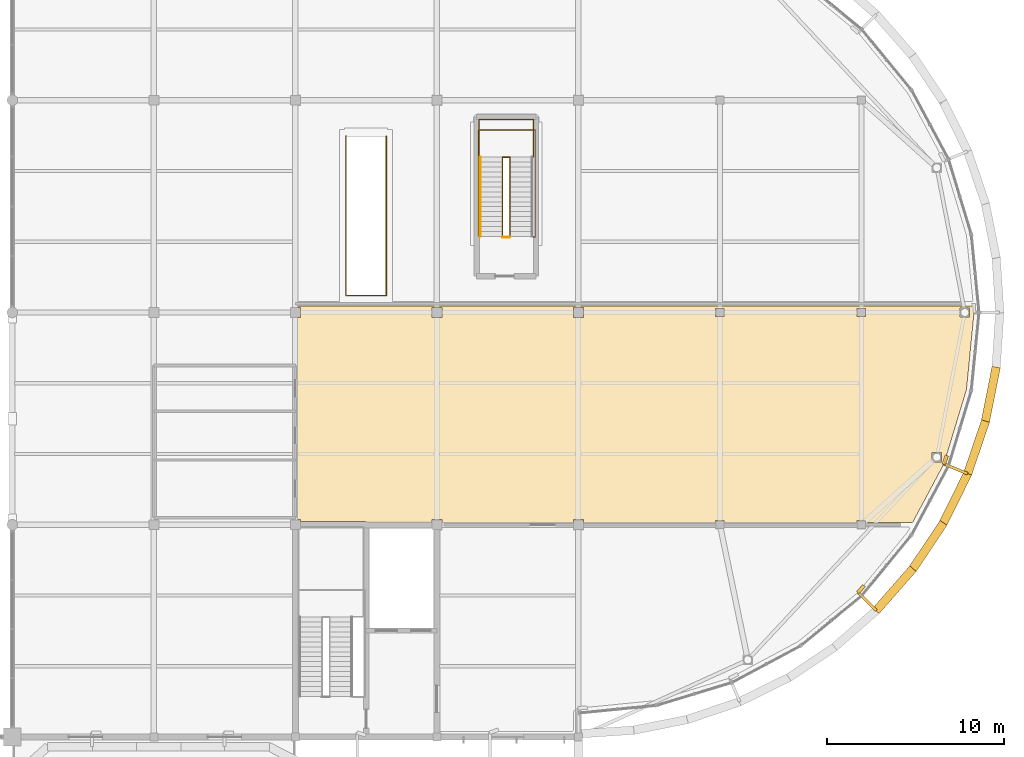
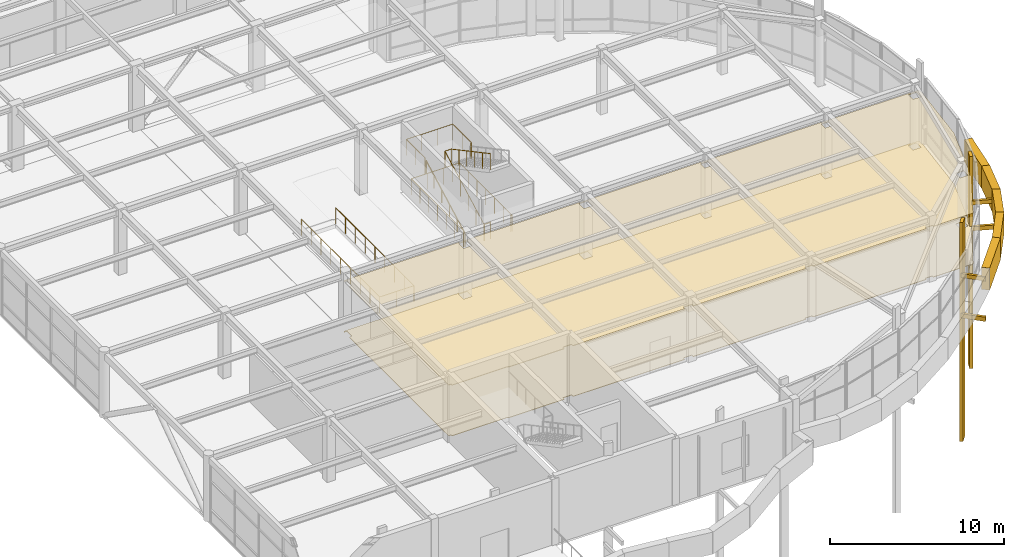
# One storey, part 58 of 63: 13 coverings, 6 railings.
"""IFC4 building model written with IfcOpenShell, lengths in metres."""

from ifc_helpers import new_model, si_unit, direction, frame, frame_2d, origin, origin_2d, place, context, subcontext, project, spatial, polyline, rectangle, circle, outline, extrude, material, layer, layer_set, type_object, element, save


model = new_model("IFC4")

# Units and contexts
model_context = context("Model", 3, precision=1e-05, world=origin(), true_north=direction((0.0, 1.0)))
body_context = subcontext(model_context, "Body", "Model", "MODEL_VIEW")
ifc_project = project(units=[si_unit("LENGTHUNIT", "METRE"), si_unit("AREAUNIT", "SQUARE_METRE"), si_unit("VOLUMEUNIT", "CUBIC_METRE"), si_unit("PLANEANGLEUNIT", "RADIAN"), si_unit("MASSUNIT", "GRAM", prefix="KILO")], contexts=[model_context])

# Site, building, storey
site_placement = place(None, origin())
site = spatial("IfcSite", under=ifc_project, at=site_placement, CompositionType="ELEMENT")
building_placement = place(site_placement, origin())
building = spatial("IfcBuilding", under=site, at=building_placement, Name="Keelwater Ferry Terminal", CompositionType="ELEMENT")
storey_placement = place(building_placement, frame((0.0, 0.0, 10.199951171875)))
storey = spatial("IfcBuildingStorey", under=building, at=storey_placement, Name="L02", CompositionType="ELEMENT", Elevation=10.199951171875)

# Coverings
ifc_material_1 = material(Name="Perforated acoustic gypsum board ceiling", Category="gypsum")
ifc_layer_1 = layer(ifc_material_1, 0.044921875)
ifc_layer_set_1 = layer_set([ifc_layer_1], Name="Perforated acoustic gypsum board ceiling")
covering_type_1 = type_object("IfcCoveringType", Name="CL-AC Acoustic Baffle Ceiling", PredefinedType="CEILING", material=ifc_layer_set_1)
covering_1_placement = place(storey_placement, frame((0.0, 0.0, 3.550048828125)))
element("IfcCovering", 1, at=covering_1_placement, inside=storey, type_object=covering_type_1, Name="Duty-Free Shop Acoustic Ceiling", PredefinedType="CEILING", context=body_context, shape_type="SweptSolid", body=[
    extrude(outline(polyline([(171.762939453125, 54.1201171875), (171.7548828125, 54.1201171875), (164.294921875, 54.1201171875), (164.287109375, 54.1201171875), (164.284912109375, 54.12109375), (164.284912109375, 54.284912109375), (163.715087890625, 54.284912109375), (163.715087890625, 54.12109375), (163.712890625, 54.1201171875), (163.705078125, 54.1201171875), (156.294921875, 54.1201171875), (156.287109375, 54.1201171875), (156.284912109375, 54.12109375), (156.284912109375, 54.284912109375), (155.715087890625, 54.284912109375), (155.715087890625, 54.12109375), (155.712890625, 54.1201171875), (155.705078125, 54.1201171875), (152.072998046875, 54.1201171875), (152.055908203125, 54.133056640625), (152.031982421875, 54.14697265625), (152.007080078125, 54.158935546875), (151.98095703125, 54.16796875), (151.955078125, 54.175048828125), (151.927001953125, 54.178955078125), (151.89990234375, 54.179931640625), (148.284912109375, 54.179931640625), (148.284912109375, 54.284912109375), (148.12109375, 54.284912109375), (148.1201171875, 54.287109375), (148.1201171875, 54.294921875), (148.1201171875, 65.705078125), (148.1201171875, 65.712890625), (148.12109375, 65.715087890625), (148.284912109375, 65.715087890625), (148.284912109375, 66.284912109375), (148.1220703125, 66.284912109375), (148.12109375, 66.2900390625), (148.1201171875, 66.298095703125), (148.1201171875, 66.305908203125), (148.12109375, 66.31396484375), (148.123046875, 66.322021484375), (148.1259765625, 66.3291015625), (148.12890625, 66.3369140625), (148.133056640625, 66.343017578125), (148.136962890625, 66.35009765625), (148.14306640625, 66.35595703125), (148.14892578125, 66.361083984375), (148.155029296875, 66.365966796875), (148.162109375, 66.3701171875), (148.1689453125, 66.3740234375), (148.176025390625, 66.3759765625), (148.18408203125, 66.3779296875), (148.19189453125, 66.3798828125), (148.199951171875, 66.3798828125), (186.259033203125, 66.3798828125), (186.26708984375, 66.3798828125), (186.27490234375, 66.3779296875), (186.281982421875, 66.376953125), (186.2900390625, 66.3740234375), (186.297119140625, 66.37109375), (186.302978515625, 66.365966796875), (186.31005859375, 66.362060546875), (186.31591796875, 66.35693359375), (186.321044921875, 66.35107421875), (186.325927734375, 66.343994140625), (186.330078125, 66.337890625), (186.3330078125, 66.3310546875), (186.3359375, 66.322998046875), (186.3369140625, 66.31494140625), (186.337890625, 66.31298828125), (186.35302734375, 66.154052734375), (186.367919921875, 66.008056640625), (186.367919921875, 66.0), (186.367919921875, 65.991943359375), (185.93994140625, 61.64404296875), (185.93798828125, 61.635986328125), (185.93701171875, 61.62890625), (185.301025390625, 59.532958984375), (184.666015625, 57.44091796875), (184.666015625, 57.43896484375), (184.666015625, 57.43896484375), (182.9130859375, 54.159912109375), (182.910888671875, 54.156005859375), (182.906005859375, 54.14892578125), (182.90087890625, 54.14306640625), (182.89501953125, 54.137939453125), (182.887939453125, 54.133056640625), (182.882080078125, 54.12890625), (182.875, 54.1259765625), (182.866943359375, 54.123046875), (182.860107421875, 54.1220703125), (182.85205078125, 54.1201171875), (182.843994140625, 54.1201171875), (180.2451171875, 54.1201171875), (180.237060546875, 54.1201171875), (180.235107421875, 54.12109375), (180.235107421875, 54.235107421875), (179.764892578125, 54.235107421875), (179.764892578125, 54.12109375), (179.762939453125, 54.1201171875), (179.7548828125, 54.1201171875), (172.2451171875, 54.1201171875), (172.237060546875, 54.1201171875), (172.235107421875, 54.12109375), (172.235107421875, 54.235107421875), (171.764892578125, 54.235107421875), (171.764892578125, 54.12109375), (171.762939453125, 54.1201171875)]), holes=[polyline([(155.715087890625, 66.284912109375), (155.715087890625, 65.715087890625), (156.284912109375, 65.715087890625), (156.284912109375, 66.284912109375), (155.715087890625, 66.284912109375)]), polyline([(183.9951171875, 58.0791015625), (183.9951171875, 57.551025390625), (184.52294921875, 57.551025390625), (184.52294921875, 58.0791015625), (183.9951171875, 58.0791015625)]), polyline([(185.5859375, 66.263916015625), (185.5859375, 65.736083984375), (186.114013671875, 65.736083984375), (186.114013671875, 66.263916015625), (185.5859375, 66.263916015625)]), polyline([(179.764892578125, 66.235107421875), (179.764892578125, 65.764892578125), (180.235107421875, 65.764892578125), (180.235107421875, 66.235107421875), (179.764892578125, 66.235107421875)]), polyline([(171.764892578125, 66.235107421875), (171.764892578125, 65.764892578125), (172.235107421875, 65.764892578125), (172.235107421875, 66.235107421875), (171.764892578125, 66.235107421875)]), polyline([(163.715087890625, 66.284912109375), (163.715087890625, 65.715087890625), (164.284912109375, 65.715087890625), (164.284912109375, 66.284912109375), (163.715087890625, 66.284912109375)])]), origin(), (0.0, 0.0, 1.0), 0.044921875),
])
ifc_material_2 = material(Name="Polished mineral terrazzo tile", Category="stone")
ifc_layer_2 = layer(ifc_material_2, 0.030029296875)
ifc_layer_set_2 = layer_set([ifc_layer_2], Name="Polished mineral terrazzo tile")
covering_type_2 = type_object("IfcCoveringType", Name="FL-TZ Marine Terrazzo Flooring", PredefinedType="FLOORING", material=ifc_layer_set_2)
covering_2_placement = place(storey_placement, origin())
element("IfcCovering", 2, at=covering_2_placement, inside=storey, type_object=covering_type_2, Name="Duty-Free Shop Terrazzo Floor", PredefinedType="FLOORING", context=body_context, shape_type="SweptSolid", body=[
    extrude(outline(polyline([(171.762939453125, 54.1201171875), (171.7548828125, 54.1201171875), (164.294921875, 54.1201171875), (164.287109375, 54.1201171875), (164.284912109375, 54.12109375), (164.284912109375, 54.284912109375), (163.715087890625, 54.284912109375), (163.715087890625, 54.12109375), (163.712890625, 54.1201171875), (163.705078125, 54.1201171875), (156.294921875, 54.1201171875), (156.287109375, 54.1201171875), (156.284912109375, 54.12109375), (156.284912109375, 54.284912109375), (155.715087890625, 54.284912109375), (155.715087890625, 54.12109375), (155.712890625, 54.1201171875), (155.705078125, 54.1201171875), (152.072998046875, 54.1201171875), (152.055908203125, 54.133056640625), (152.031982421875, 54.14697265625), (152.007080078125, 54.158935546875), (151.98095703125, 54.16796875), (151.955078125, 54.175048828125), (151.927001953125, 54.178955078125), (151.89990234375, 54.179931640625), (148.284912109375, 54.179931640625), (148.284912109375, 54.284912109375), (148.12109375, 54.284912109375), (148.1201171875, 54.287109375), (148.1201171875, 54.294921875), (148.1201171875, 65.705078125), (148.1201171875, 65.712890625), (148.12109375, 65.715087890625), (148.284912109375, 65.715087890625), (148.284912109375, 66.284912109375), (148.1220703125, 66.284912109375), (148.12109375, 66.2900390625), (148.1201171875, 66.298095703125), (148.1201171875, 66.305908203125), (148.12109375, 66.31396484375), (148.123046875, 66.322021484375), (148.1259765625, 66.3291015625), (148.12890625, 66.3369140625), (148.133056640625, 66.343017578125), (148.136962890625, 66.35009765625), (148.14306640625, 66.35595703125), (148.14892578125, 66.361083984375), (148.155029296875, 66.365966796875), (148.162109375, 66.3701171875), (148.1689453125, 66.3740234375), (148.176025390625, 66.3759765625), (148.18408203125, 66.3779296875), (148.19189453125, 66.3798828125), (148.199951171875, 66.3798828125), (186.259033203125, 66.3798828125), (186.26708984375, 66.3798828125), (186.27490234375, 66.3779296875), (186.281982421875, 66.376953125), (186.2900390625, 66.3740234375), (186.297119140625, 66.37109375), (186.302978515625, 66.365966796875), (186.31005859375, 66.362060546875), (186.31591796875, 66.35693359375), (186.321044921875, 66.35107421875), (186.325927734375, 66.343994140625), (186.330078125, 66.337890625), (186.3330078125, 66.3310546875), (186.3359375, 66.322998046875), (186.3369140625, 66.31494140625), (186.337890625, 66.31298828125), (186.35302734375, 66.154052734375), (186.367919921875, 66.008056640625), (186.367919921875, 66.0), (186.367919921875, 65.991943359375), (185.93994140625, 61.64404296875), (185.93798828125, 61.635986328125), (185.93701171875, 61.62890625), (185.301025390625, 59.532958984375), (184.666015625, 57.44091796875), (184.666015625, 57.43896484375), (184.666015625, 57.43896484375), (182.9130859375, 54.159912109375), (182.910888671875, 54.156005859375), (182.906005859375, 54.14892578125), (182.90087890625, 54.14306640625), (182.89501953125, 54.137939453125), (182.887939453125, 54.133056640625), (182.882080078125, 54.12890625), (182.875, 54.1259765625), (182.866943359375, 54.123046875), (182.860107421875, 54.1220703125), (182.85205078125, 54.1201171875), (182.843994140625, 54.1201171875), (180.2451171875, 54.1201171875), (180.237060546875, 54.1201171875), (180.235107421875, 54.12109375), (180.235107421875, 54.235107421875), (179.764892578125, 54.235107421875), (179.764892578125, 54.12109375), (179.762939453125, 54.1201171875), (179.7548828125, 54.1201171875), (172.2451171875, 54.1201171875), (172.237060546875, 54.1201171875), (172.235107421875, 54.12109375), (172.235107421875, 54.235107421875), (171.764892578125, 54.235107421875), (171.764892578125, 54.12109375), (171.762939453125, 54.1201171875)]), holes=[polyline([(155.715087890625, 66.284912109375), (155.715087890625, 65.715087890625), (156.284912109375, 65.715087890625), (156.284912109375, 66.284912109375), (155.715087890625, 66.284912109375)]), polyline([(183.9951171875, 58.0791015625), (183.9951171875, 57.551025390625), (184.52294921875, 57.551025390625), (184.52294921875, 58.0791015625), (183.9951171875, 58.0791015625)]), polyline([(185.5859375, 66.263916015625), (185.5859375, 65.736083984375), (186.114013671875, 65.736083984375), (186.114013671875, 66.263916015625), (185.5859375, 66.263916015625)]), polyline([(179.764892578125, 66.235107421875), (179.764892578125, 65.764892578125), (180.235107421875, 65.764892578125), (180.235107421875, 66.235107421875), (179.764892578125, 66.235107421875)]), polyline([(171.764892578125, 66.235107421875), (171.764892578125, 65.764892578125), (172.235107421875, 65.764892578125), (172.235107421875, 66.235107421875), (171.764892578125, 66.235107421875)]), polyline([(163.715087890625, 66.284912109375), (163.715087890625, 65.715087890625), (164.284912109375, 65.715087890625), (164.284912109375, 66.284912109375), (163.715087890625, 66.284912109375)])]), origin(), (0.0, 0.0, 1.0), 0.030029296875),
])

# Railings
ifc_material_3 = material(Name="Painted Steel S355", Category="steel")
railing_type_1 = type_object("IfcRailingType", Name="GR-115 Stair Well Guardrail", PredefinedType="GUARDRAIL", material=ifc_material_3)
railing_1_placement = place(storey_placement, frame((159.7099609375, 70.260009765625, 0.0)))
element("IfcRailing", 3, at=railing_1_placement, inside=storey, type_object=railing_type_1, Name="Stair ST-E5-L01 Slot Threshold Guard 97", PredefinedType="GUARDRAIL", context=body_context, shape_type="SweptSolid", body=[
    extrude(circle(Radius=0.02392578125, at=origin_2d()), frame((0.0, 0.0, 1.1259765625), z_axis=(1.0, 0.0, 0.0), x_axis=(0.0, 1.0, 0.0)), (0.0, 0.0, 1.0), 0.419921875),
    extrude(circle(Radius=0.02099609375, at=origin_2d()), origin(), (0.0, 0.0, 1.0), 1.101806640625),
    extrude(circle(Radius=0.02099609375, at=origin_2d()), frame((0.419921875, 0.0, 0.0)), (0.0, 0.0, 1.0), 1.101806640625),
])
railing_2_placement = place(storey_placement, frame((158.360107421875, 70.300048828125, 0.0)))
element("IfcRailing", 4, at=railing_2_placement, inside=storey, type_object=railing_type_1, Name="Stair ST-E5-L01 Shaft Perimeter Guard 98", PredefinedType="GUARDRAIL", context=body_context, shape_type="SweptSolid", body=[
    extrude(circle(Radius=0.02392578125, at=origin_2d()), frame((0.0, 0.0, 1.1259765625), z_axis=(0.0, 1.0, 0.0), x_axis=(-1.0, 0.0, 0.0)), (0.0, 0.0, 1.0), 6.02001953125),
    extrude(circle(Radius=0.02392578125, at=origin_2d()), frame((0.0, 6.02001953125, 1.1259765625), z_axis=(1.0, 0.0, 0.0), x_axis=(0.0, 1.0, 0.0)), (0.0, 0.0, 1.0), 3.199951171875),
    extrude(circle(Radius=0.02392578125, at=origin_2d()), frame((3.199951171875, 6.02001953125, 1.1259765625), z_axis=(0.0, -1.0, 0.0), x_axis=(1.0, 0.0, 0.0)), (0.0, 0.0, 1.0), 6.06005859375),
    extrude(circle(Radius=0.02392578125, at=origin_2d()), frame((3.199951171875, -0.0400390625, 1.1259765625), z_axis=(-1.0, 0.0, 0.0), x_axis=(0.0, -1.0, 0.0)), (0.0, 0.0, 1.0), 0.1201171875),
    extrude(circle(Radius=0.02099609375, at=origin_2d()), origin(), (0.0, 0.0, 1.0), 1.101806640625),
    extrude(circle(Radius=0.02099609375, at=origin_2d()), frame((0.0, 1.00341796875, 0.0)), (0.0, 0.0, 1.0), 1.101806640625),
    extrude(circle(Radius=0.02099609375, at=origin_2d()), frame((0.0, 2.006591796875, 0.0)), (0.0, 0.0, 1.0), 1.101806640625),
    extrude(circle(Radius=0.02099609375, at=origin_2d()), frame((0.0, 3.010009765625, 0.0)), (0.0, 0.0, 1.0), 1.101806640625),
    extrude(circle(Radius=0.02099609375, at=origin_2d()), frame((0.0, 4.013427734375, 0.0)), (0.0, 0.0, 1.0), 1.101806640625),
    extrude(circle(Radius=0.02099609375, at=origin_2d()), frame((0.0, 5.0166015625, 0.0)), (0.0, 0.0, 1.0), 1.101806640625),
    extrude(circle(Radius=0.02099609375, at=origin_2d()), frame((0.0, 6.02001953125, 0.0)), (0.0, 0.0, 1.0), 1.101806640625),
    extrude(circle(Radius=0.02099609375, at=origin_2d()), frame((1.066650390625, 6.02001953125, 0.0)), (0.0, 0.0, 1.0), 1.101806640625),
    extrude(circle(Radius=0.02099609375, at=origin_2d()), frame((2.13330078125, 6.02001953125, 0.0)), (0.0, 0.0, 1.0), 1.101806640625),
    extrude(circle(Radius=0.02099609375, at=origin_2d()), frame((3.199951171875, 6.02001953125, 0.0)), (0.0, 0.0, 1.0), 1.101806640625),
    extrude(circle(Radius=0.02099609375, at=origin_2d()), frame((3.199951171875, 5.010009765625, 0.0)), (0.0, 0.0, 1.0), 1.101806640625),
    extrude(circle(Radius=0.02099609375, at=origin_2d()), frame((3.199951171875, 4.0, 0.0)), (0.0, 0.0, 1.0), 1.101806640625),
    extrude(circle(Radius=0.02099609375, at=origin_2d()), frame((3.199951171875, 2.989990234375, 0.0)), (0.0, 0.0, 1.0), 1.101806640625),
    extrude(circle(Radius=0.02099609375, at=origin_2d()), frame((3.199951171875, 1.97998046875, 0.0)), (0.0, 0.0, 1.0), 1.101806640625),
    extrude(circle(Radius=0.02099609375, at=origin_2d()), frame((3.199951171875, 0.969970703125, 0.0)), (0.0, 0.0, 1.0), 1.101806640625),
    extrude(circle(Radius=0.02099609375, at=origin_2d()), frame((3.199951171875, -0.0400390625, 0.0)), (0.0, 0.0, 1.0), 1.101806640625),
    extrude(circle(Radius=0.02099609375, at=origin_2d()), frame((3.079833984375, -0.0400390625, 0.0)), (0.0, 0.0, 1.0), 1.101806640625),
])
railing_3_placement = place(storey_placement, frame((159.7099609375, 70.300048828125, 0.0)))
element("IfcRailing", 5, at=railing_3_placement, inside=storey, type_object=railing_type_1, Name="Stair ST-E5-L02 Inner Well Guard 99", PredefinedType="GUARDRAIL", context=body_context, shape_type="SweptSolid", body=[
    extrude(circle(Radius=0.02392578125, at=origin_2d()), frame((0.0, 0.0, 1.1259765625), z_axis=(0.0, 0.881467115574, 0.472245406714), x_axis=(-1.0, 0.0, 0.0)), (0.0, 0.0, 1.0), 5.08251953125),
    extrude(circle(Radius=0.02392578125, at=origin_2d()), frame((0.0, 4.47998046875, 3.52587890625), z_axis=(1.0, 0.0, 0.0), x_axis=(0.0, 1.0, 0.0)), (0.0, 0.0, 1.0), 0.419921875),
    extrude(circle(Radius=0.02392578125, at=origin_2d()), frame((0.419921875, 4.47998046875, 3.52587890625), z_axis=(0.0, -0.881487111273, 0.472208081951), x_axis=(1.0, 0.0, 0.0)), (0.0, 0.0, 1.0), 5.082275390625),
    extrude(circle(Radius=0.02099609375, at=origin_2d()), origin(), (0.0, 0.0, 1.0), 1.101806640625),
    extrude(circle(Radius=0.02099609375, at=origin_2d()), frame((0.0, 0.89599609375, 0.47998046875)), (0.0, 0.0, 1.0), 1.101806640625),
    extrude(circle(Radius=0.02099609375, at=origin_2d()), frame((0.0, 1.7919921875, 0.9599609375)), (0.0, 0.0, 1.0), 1.101806640625),
    extrude(circle(Radius=0.02099609375, at=origin_2d()), frame((0.0, 2.68798828125, 1.440185546875)), (0.0, 0.0, 1.0), 1.101806640625),
    extrude(circle(Radius=0.02099609375, at=origin_2d()), frame((0.0, 3.583984375, 1.920166015625)), (0.0, 0.0, 1.0), 1.101806640625),
    extrude(circle(Radius=0.02099609375, at=origin_2d()), frame((0.0, 4.47998046875, 2.400146484375)), (0.0, 0.0, 1.0), 1.101806640625),
    extrude(circle(Radius=0.02099609375, at=origin_2d()), frame((0.419921875, 4.47998046875, 2.400146484375)), (0.0, 0.0, 1.0), 1.101806640625),
    extrude(circle(Radius=0.02099609375, at=origin_2d()), frame((0.419921875, 3.583984375, 2.880126953125)), (0.0, 0.0, 1.0), 1.101806640625),
    extrude(circle(Radius=0.02099609375, at=origin_2d()), frame((0.419921875, 2.68798828125, 3.360107421875)), (0.0, 0.0, 1.0), 1.101806640625),
    extrude(circle(Radius=0.02099609375, at=origin_2d()), frame((0.419921875, 1.7919921875, 3.840087890625)), (0.0, 0.0, 1.0), 1.101806640625),
    extrude(circle(Radius=0.02099609375, at=origin_2d()), frame((0.419921875, 0.89599609375, 4.320068359375)), (0.0, 0.0, 1.0), 1.101806640625),
    extrude(circle(Radius=0.02099609375, at=origin_2d()), frame((0.419921875, 0.0, 4.800048828125)), (0.0, 0.0, 1.0), 1.101806640625),
])
railing_4_placement = place(storey_placement, frame((158.39990234375, 74.780029296875, 2.400146484375)))
element("IfcRailing", 6, at=railing_4_placement, inside=storey, type_object=railing_type_1, Name="Stair ST-E5-L02 Half-Landing Guard 100", PredefinedType="GUARDRAIL", context=body_context, shape_type="SweptSolid", body=[
    extrude(circle(Radius=0.02392578125, at=origin_2d()), frame((0.0, 0.0, 1.1259765625), z_axis=(-1.0, 0.0, 0.0), x_axis=(0.0, -1.0, 0.0)), (0.0, 0.0, 1.0), 0.02001953125),
    extrude(circle(Radius=0.02392578125, at=origin_2d()), frame((-0.02001953125, 0.0, 1.1259765625), z_axis=(0.0, 1.0, 0.0), x_axis=(-1.0, 0.0, 0.0)), (0.0, 0.0, 1.0), 2.139892578125),
    extrude(circle(Radius=0.02392578125, at=origin_2d()), frame((-0.02001953125, 2.139892578125, 1.1259765625), z_axis=(1.0, 0.0, 0.0), x_axis=(0.0, 1.0, 0.0)), (0.0, 0.0, 1.0), 3.090087890625),
    extrude(circle(Radius=0.02392578125, at=origin_2d()), frame((3.070068359375, 2.139892578125, 1.1259765625), z_axis=(0.0, -1.0, 0.0), x_axis=(1.0, 0.0, 0.0)), (0.0, 0.0, 1.0), 2.139892578125),
    extrude(circle(Radius=0.02392578125, at=origin_2d()), frame((3.070068359375, 0.0, 1.1259765625), z_axis=(-1.0, 0.0, 0.0), x_axis=(0.0, -1.0, 0.0)), (0.0, 0.0, 1.0), 0.030029296875),
    extrude(circle(Radius=0.02099609375, at=origin_2d()), origin(), (0.0, 0.0, 1.0), 1.101806640625),
    extrude(circle(Radius=0.02099609375, at=origin_2d()), frame((-0.02001953125, 0.0, 0.0)), (0.0, 0.0, 1.0), 1.101806640625),
    extrude(circle(Radius=0.02099609375, at=origin_2d()), frame((-0.02001953125, 1.06982421875, 0.0)), (0.0, 0.0, 1.0), 1.101806640625),
    extrude(circle(Radius=0.02099609375, at=origin_2d()), frame((-0.02001953125, 2.139892578125, 0.0)), (0.0, 0.0, 1.0), 1.101806640625),
    extrude(circle(Radius=0.02099609375, at=origin_2d()), frame((1.010009765625, 2.139892578125, 0.0)), (0.0, 0.0, 1.0), 1.101806640625),
    extrude(circle(Radius=0.02099609375, at=origin_2d()), frame((2.0400390625, 2.139892578125, 0.0)), (0.0, 0.0, 1.0), 1.101806640625),
    extrude(circle(Radius=0.02099609375, at=origin_2d()), frame((3.070068359375, 2.139892578125, 0.0)), (0.0, 0.0, 1.0), 1.101806640625),
    extrude(circle(Radius=0.02099609375, at=origin_2d()), frame((3.070068359375, 1.06982421875, 0.0)), (0.0, 0.0, 1.0), 1.101806640625),
    extrude(circle(Radius=0.02099609375, at=origin_2d()), frame((3.070068359375, 0.0, 0.0)), (0.0, 0.0, 1.0), 1.101806640625),
    extrude(circle(Radius=0.02099609375, at=origin_2d()), frame((3.0400390625, 0.0, 0.0)), (0.0, 0.0, 1.0), 1.101806640625),
])
railing_5_placement = place(storey_placement, frame((153.139892578125, 75.9599609375, 0.0)))
element("IfcRailing", 7, at=railing_5_placement, inside=storey, type_object=railing_type_1, Name="Straight Stair AS-01 Top Well U-Guard 129", PredefinedType="GUARDRAIL", context=body_context, shape_type="SweptSolid", body=[
    extrude(circle(Radius=0.02392578125, at=origin_2d()), frame((0.0, 0.0, 1.1259765625), z_axis=(0.0, -1.0, 0.0), x_axis=(1.0, 0.0, 0.0)), (0.0, 0.0, 1.0), 9.0),
    extrude(circle(Radius=0.02392578125, at=origin_2d()), frame((0.0, -9.0, 1.1259765625), z_axis=(-1.0, 0.0, 0.0), x_axis=(0.0, -1.0, 0.0)), (0.0, 0.0, 1.0), 2.27978515625),
    extrude(circle(Radius=0.02392578125, at=origin_2d()), frame((-2.27978515625, -9.0, 1.1259765625), z_axis=(0.0, 1.0, 0.0), x_axis=(-1.0, 0.0, 0.0)), (0.0, 0.0, 1.0), 9.0),
    extrude(circle(Radius=0.02099609375, at=origin_2d()), origin(), (0.0, 0.0, 1.0), 1.101806640625),
    extrude(circle(Radius=0.02099609375, at=origin_2d()), frame((0.0, -1.125, 0.0)), (0.0, 0.0, 1.0), 1.101806640625),
    extrude(circle(Radius=0.02099609375, at=origin_2d()), frame((0.0, -2.25, 0.0)), (0.0, 0.0, 1.0), 1.101806640625),
    extrude(circle(Radius=0.02099609375, at=origin_2d()), frame((0.0, -3.375, 0.0)), (0.0, 0.0, 1.0), 1.101806640625),
    extrude(circle(Radius=0.02099609375, at=origin_2d()), frame((0.0, -4.5, 0.0)), (0.0, 0.0, 1.0), 1.101806640625),
    extrude(circle(Radius=0.02099609375, at=origin_2d()), frame((0.0, -5.625, 0.0)), (0.0, 0.0, 1.0), 1.101806640625),
    extrude(circle(Radius=0.02099609375, at=origin_2d()), frame((0.0, -6.75, 0.0)), (0.0, 0.0, 1.0), 1.101806640625),
    extrude(circle(Radius=0.02099609375, at=origin_2d()), frame((0.0, -7.875, 0.0)), (0.0, 0.0, 1.0), 1.101806640625),
    extrude(circle(Radius=0.02099609375, at=origin_2d()), frame((0.0, -9.0, 0.0)), (0.0, 0.0, 1.0), 1.101806640625),
    extrude(circle(Radius=0.02099609375, at=origin_2d()), frame((-1.139892578125, -9.0, 0.0)), (0.0, 0.0, 1.0), 1.101806640625),
    extrude(circle(Radius=0.02099609375, at=origin_2d()), frame((-2.27978515625, -9.0, 0.0)), (0.0, 0.0, 1.0), 1.101806640625),
    extrude(circle(Radius=0.02099609375, at=origin_2d()), frame((-2.27978515625, -7.875, 0.0)), (0.0, 0.0, 1.0), 1.101806640625),
    extrude(circle(Radius=0.02099609375, at=origin_2d()), frame((-2.27978515625, -6.75, 0.0)), (0.0, 0.0, 1.0), 1.101806640625),
    extrude(circle(Radius=0.02099609375, at=origin_2d()), frame((-2.27978515625, -5.625, 0.0)), (0.0, 0.0, 1.0), 1.101806640625),
    extrude(circle(Radius=0.02099609375, at=origin_2d()), frame((-2.27978515625, -4.5, 0.0)), (0.0, 0.0, 1.0), 1.101806640625),
    extrude(circle(Radius=0.02099609375, at=origin_2d()), frame((-2.27978515625, -3.375, 0.0)), (0.0, 0.0, 1.0), 1.101806640625),
    extrude(circle(Radius=0.02099609375, at=origin_2d()), frame((-2.27978515625, -2.25, 0.0)), (0.0, 0.0, 1.0), 1.101806640625),
    extrude(circle(Radius=0.02099609375, at=origin_2d()), frame((-2.27978515625, -1.125, 0.0)), (0.0, 0.0, 1.0), 1.101806640625),
    extrude(circle(Radius=0.02099609375, at=origin_2d()), frame((-2.27978515625, 0.0, 0.0)), (0.0, 0.0, 1.0), 1.101806640625),
])
ifc_material_4 = material(Name="Brushed stainless steel handrail", Category="steel")
railing_type_2 = type_object("IfcRailingType", Name="HR-920 Stair Pitch Handrail", PredefinedType="HANDRAIL", material=ifc_material_4)
railing_6_placement = place(storey_placement, frame((158.4599609375, 70.300048828125, 0.0)))
element("IfcRailing", 8, at=railing_6_placement, inside=storey, type_object=railing_type_2, Name="Stair ST-E5-L02 Flight 1 Handrail 101", PredefinedType="HANDRAIL", context=body_context, shape_type="SweptSolid", body=[
    extrude(circle(Radius=0.02392578125, at=origin_2d()), frame((0.0, 0.0, 0.89599609375), z_axis=(0.0, 0.881467115574, 0.472245406714), x_axis=(-1.0, 0.0, 0.0)), (0.0, 0.0, 1.0), 5.08251953125),
    extrude(circle(Radius=0.02099609375, at=origin_2d()), origin(), (0.0, 0.0, 1.0), 0.871826171875),
    extrude(circle(Radius=0.02099609375, at=origin_2d()), frame((0.0, 0.89599609375, 0.47998046875)), (0.0, 0.0, 1.0), 0.871826171875),
    extrude(circle(Radius=0.02099609375, at=origin_2d()), frame((0.0, 1.7919921875, 0.9599609375)), (0.0, 0.0, 1.0), 0.871826171875),
    extrude(circle(Radius=0.02099609375, at=origin_2d()), frame((0.0, 2.68798828125, 1.440185546875)), (0.0, 0.0, 1.0), 0.871826171875),
    extrude(circle(Radius=0.02099609375, at=origin_2d()), frame((0.0, 3.583984375, 1.920166015625)), (0.0, 0.0, 1.0), 0.871826171875),
    extrude(circle(Radius=0.02099609375, at=origin_2d()), frame((0.0, 4.47998046875, 2.400146484375)), (0.0, 0.0, 1.0), 0.871826171875),
])

# Coverings
ifc_material_5 = material(Name="Matte white architectural aluminium fascia ribbon", Category="aluminium")
ifc_layer_3 = layer(ifc_material_5, 0.1201171875)
ifc_layer_set_3 = layer_set([ifc_layer_3], Name="Matte white architectural aluminium fascia ribbon")
covering_type_3 = type_object("IfcCoveringType", Name="RB-WHT Matte White Fascia Ribbon", PredefinedType="CLADDING", material=ifc_layer_set_3)
covering_3_placement = place(storey_placement, frame((180.826904296875, 49.137939453125, 1.899169921875), z_axis=(0.0, 0.0, 1.0), x_axis=(0.65931776004, 0.75186441018, 0.0)))
element("IfcCovering", 9, at=covering_3_placement, inside=storey, type_object=covering_type_3, Name="Concourse Upper Wave Fascia Ribbon 659", PredefinedType="CLADDING", context=body_context, shape_type="SweptSolid", body=[
    extrude(outline(polyline([(0.0, 0.048828125), (3.16552734375, 0.0), (3.16552734375, 1.5498046875), (0.0, 1.598876953125), (0.0, 0.048828125)])), frame((0.0, 0.239990234375, 0.0), z_axis=(0.0, -1.0, 0.0), x_axis=(1.0, 0.0, 0.0)), (0.0, 0.0, 1.0), 0.47998046875),
])
covering_4_placement = place(storey_placement, frame((180.843017578125, 49.156982421875, 2.5830078125), z_axis=(0.0, 0.0, 1.0), x_axis=(-0.707106781187, 0.707106781187, 0.0)))
element("IfcCovering", 10, at=covering_4_placement, inside=storey, type_object=covering_type_3, Name="Ribbon Horizontal Tie Bracket 662", PredefinedType="CLADDING", context=body_context, shape_type="SweptSolid", body=[
    extrude(rectangle(XDim=1.449462890625, YDim=0.159912109375, at=frame_2d((0.724609375, 0.0))), origin(), (0.0, 0.0, 1.0), 0.280029296875),
])
covering_5_placement = place(storey_placement, frame((180.843017578125, 49.156982421875, -0.25), z_axis=(0.0, 0.0, 1.0), x_axis=(-0.707106781187, 0.707106781187, 0.0)))
element("IfcCovering", 11, at=covering_5_placement, inside=storey, type_object=covering_type_3, Name="Ribbon Slab Tie Bracket 665", PredefinedType="CLADDING", context=body_context, shape_type="SweptSolid", body=[
    extrude(rectangle(XDim=1.449462890625, YDim=0.159912109375, at=frame_2d((0.724609375, 0.0))), origin(), (0.0, 0.0, 1.0), 0.300048828125),
])
covering_6_placement = place(storey_placement, frame((179.801025390625, 50.1640625, -8.97705078125), z_axis=(0.0, 0.0, 1.0), x_axis=(0.66026428085, 0.751033341093, 0.0)))
element("IfcCovering", 12, at=covering_6_placement, inside=storey, type_object=covering_type_3, Name="Ribbon Recessed Support Mullion 667", PredefinedType="CLADDING", context=body_context, shape_type="SweptSolid", body=[
    extrude(outline(polyline([(0.0, 0.0), (0.52978515625, 0.0), (0.52978515625, 15.380126953125), (0.0, 15.380126953125), (0.0, 0.0)])), frame((0.0, 0.10009765625, 0.0), z_axis=(0.0, -1.0, 0.0), x_axis=(1.0, 0.0, 0.0)), (0.0, 0.0, 1.0), 0.199951171875),
])
covering_7_placement = place(storey_placement, frame((182.884033203125, 51.47802734375, 1.506103515625), z_axis=(0.0, 0.0, 1.0), x_axis=(0.55550058618, 0.831516144614, 0.0)))
element("IfcCovering", 13, at=covering_7_placement, inside=storey, type_object=covering_type_3, Name="Concourse Upper Wave Fascia Ribbon 670", PredefinedType="CLADDING", context=body_context, shape_type="SweptSolid", body=[
    extrude(outline(polyline([(0.0, 0.39306640625), (3.16650390625, 0.0), (3.16650390625, 1.550048828125), (0.0, 1.94287109375), (0.0, 0.39306640625)])), frame((0.0, 0.239990234375, 0.0), z_axis=(0.0, -1.0, 0.0), x_axis=(1.0, 0.0, 0.0)), (0.0, 0.0, 1.0), 0.47998046875),
])
covering_8_placement = place(storey_placement, frame((184.617919921875, 54.068115234375, 0.943115234375), z_axis=(0.0, 0.0, 1.0), x_axis=(0.442454846905, 0.896790782987, 0.0)))
element("IfcCovering", 14, at=covering_8_placement, inside=storey, type_object=covering_type_3, Name="Concourse Upper Wave Fascia Ribbon 674", PredefinedType="CLADDING", context=body_context, shape_type="SweptSolid", body=[
    extrude(outline(polyline([(0.0, 0.56298828125), (3.16455078125, 0.0), (3.16455078125, 1.550048828125), (0.0, 2.113037109375), (0.0, 0.56298828125)])), frame((0.0, 0.239990234375, 0.0), z_axis=(0.0, -1.0, 0.0), x_axis=(1.0, 0.0, 0.0)), (0.0, 0.0, 1.0), 0.47998046875),
])
covering_9_placement = place(storey_placement, frame((185.9990234375, 56.860107421875, 0.462158203125), z_axis=(0.0, 0.0, 1.0), x_axis=(0.321196336342, 0.94701262585, 0.0)))
element("IfcCovering", 15, at=covering_9_placement, inside=storey, type_object=covering_type_3, Name="Concourse Upper Wave Fascia Ribbon 678", PredefinedType="CLADDING", context=body_context, shape_type="SweptSolid", body=[
    extrude(outline(polyline([(0.0, 0.48095703125), (3.16650390625, 0.0), (3.16650390625, 1.5498046875), (0.0, 2.031005859375), (0.0, 0.48095703125)])), frame((0.0, 0.239990234375, 0.0), z_axis=(0.0, -1.0, 0.0), x_axis=(1.0, 0.0, 0.0)), (0.0, 0.0, 1.0), 0.47998046875),
])
covering_10_placement = place(storey_placement, frame((186.007080078125, 56.884033203125, 1.578125), z_axis=(0.0, 0.0, 1.0), x_axis=(-0.923916320312, 0.382594606681, 0.0)))
element("IfcCovering", 16, at=covering_10_placement, inside=storey, type_object=covering_type_3, Name="Ribbon Horizontal Tie Bracket 682", PredefinedType="CLADDING", context=body_context, shape_type="SweptSolid", body=[
    extrude(rectangle(XDim=1.450439453125, YDim=0.159912109375, at=frame_2d((0.72509765625, 0.0))), origin(), (0.0, 0.0, 1.0), 0.280029296875),
])
covering_11_placement = place(storey_placement, frame((186.007080078125, 56.884033203125, -0.25), z_axis=(0.0, 0.0, 1.0), x_axis=(-0.923916320312, 0.382594606681, 0.0)))
element("IfcCovering", 17, at=covering_11_placement, inside=storey, type_object=covering_type_3, Name="Ribbon Slab Tie Bracket 685", PredefinedType="CLADDING", context=body_context, shape_type="SweptSolid", body=[
    extrude(rectangle(XDim=1.450439453125, YDim=0.159912109375, at=frame_2d((0.72509765625, 0.0))), origin(), (0.0, 0.0, 1.0), 0.300048828125),
])
covering_12_placement = place(storey_placement, frame((184.658935546875, 57.4150390625, -9.949951171875), z_axis=(0.0, 0.0, 1.0), x_axis=(0.322711420883, 0.946497405613, 0.0)))
element("IfcCovering", 18, at=covering_12_placement, inside=storey, type_object=covering_type_3, Name="Ribbon Recessed Support Mullion 687", PredefinedType="CLADDING", context=body_context, shape_type="SweptSolid", body=[
    extrude(outline(polyline([(0.0, 0.0), (0.5302734375, 0.0), (0.5302734375, 14.912109375), (0.0, 14.912109375), (0.0, 0.0)])), frame((0.0, 0.10009765625, 0.0), z_axis=(0.0, -1.0, 0.0), x_axis=(1.0, 0.0, 0.0)), (0.0, 0.0, 1.0), 0.199951171875),
])
covering_13_placement = place(storey_placement, frame((187.0029296875, 59.81005859375, 0.275146484375), z_axis=(0.0, 0.0, 1.0), x_axis=(0.195196875454, 0.98076407959, 0.0)))
element("IfcCovering", 19, at=covering_13_placement, inside=storey, type_object=covering_type_3, Name="Concourse Upper Wave Fascia Ribbon 690", PredefinedType="CLADDING", context=body_context, shape_type="SweptSolid", body=[
    extrude(outline(polyline([(0.0, 0.18701171875), (3.1669921875, 0.0), (3.1669921875, 1.5498046875), (0.0, 1.73681640625), (0.0, 0.18701171875)])), frame((0.0, 0.239990234375, 0.0), z_axis=(0.0, -1.0, 0.0), x_axis=(1.0, 0.0, 0.0)), (0.0, 0.0, 1.0), 0.47998046875),
])

save(model, "model.ifc")
